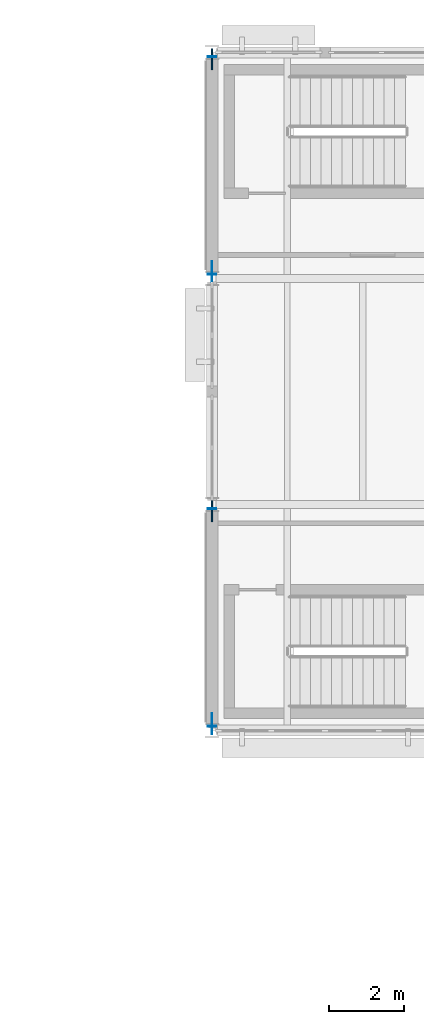
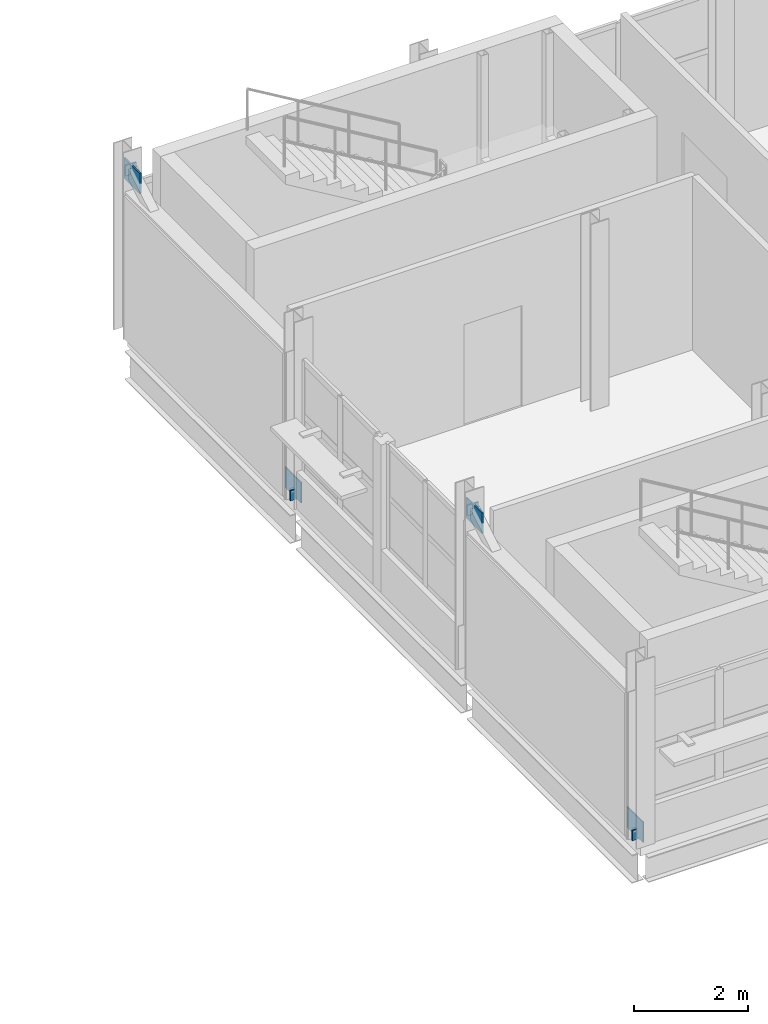
# One storey, part 59 of 92: 8 plates.
"""IFC4 building model written with IfcOpenShell, lengths in metres."""

from ifc_helpers import new_model, si_unit, direction, frame, origin, origin_2d, place, context, subcontext, project, spatial, rectangle, extrude, material, layer, layer_set, type_object, element, save


model = new_model("IFC4")

# Units and contexts
model_context = context("Model", 3, precision=1e-05, world=origin(), true_north=direction((0.0, 1.0)))
body_context = subcontext(model_context, "Body", "Model", "MODEL_VIEW")
ifc_project = project(units=[si_unit("LENGTHUNIT", "METRE"), si_unit("AREAUNIT", "SQUARE_METRE"), si_unit("VOLUMEUNIT", "CUBIC_METRE"), si_unit("PLANEANGLEUNIT", "RADIAN"), si_unit("MASSUNIT", "GRAM", prefix="KILO")], contexts=[model_context])

# Site, building, storey
site_placement = place(None, origin())
site = spatial("IfcSite", under=ifc_project, at=site_placement, CompositionType="ELEMENT")
building_placement = place(site_placement, origin())
building = spatial("IfcBuilding", under=site, at=building_placement, Name="Siltcreek Boulevard Central Fire Station", CompositionType="ELEMENT")
storey_placement = place(building_placement, frame((0.0, 0.0, 6.0)))
storey = spatial("IfcBuildingStorey", under=building, at=storey_placement, Name="L02", CompositionType="ELEMENT", Elevation=6.0)

# Plates
ifc_material = material(Name="Structural steel ASTM A572 Gr50", Category="steel")
ifc_layer_1 = layer(ifc_material, 0.02490234375, Name="Structural steel ASTM A572 Gr50")
ifc_layer_set_1 = layer_set([ifc_layer_1], Name="Structural steel ASTM A572 Gr50")
plate_type_1 = type_object("IfcPlateType", Name="PL_CAP25", PredefinedType="USERDEFINED", material=ifc_layer_set_1)
for number, where, z_axis, x_axis, name in (
    (1, (42.0, 94.31103515625, -0.015625), (0.0, 0.0, 1.0), (0.0, 1.0, 0.0), "L02 SCBF concentrically braced frame BR-014 sealed end cap 1"),
    (2, (42.0, 100.089111328125, 3.4453125), (0.0, 0.0, 1.0), (0.0, 1.0, 0.0), "L02 SCBF concentrically braced frame BR-014 sealed end cap 2"),
    (3, (42.0, 106.31103515625, -0.015625), (0.0, 0.0, 1.0), (0.0, 1.0, 0.0), "L02 SCBF concentrically braced frame BR-020 sealed end cap 1"),
    (4, (42.0, 112.089111328125, 3.4453125), (0.0, 0.0, 1.0), (0.0, 1.0, 0.0), "L02 SCBF concentrically braced frame BR-020 sealed end cap 2"),
):
    element("IfcPlate", number, at=place(storey_placement, frame(where, z_axis=z_axis, x_axis=x_axis)), inside=storey, type_object=plate_type_1, Name=name, ObjectType="END CAP", PredefinedType="USERDEFINED", context=body_context, shape_type="SweptSolid", body=[
        extrude(rectangle(XDim=0.02490234375, YDim=0.219970703125, at=origin_2d()), origin(), (0.0, 0.0, 1.0), 0.219970703125),
    ])
ifc_layer_2 = layer(ifc_material, 0.02197265625, Name="Structural steel ASTM A572 Gr50")
ifc_layer_set_2 = layer_set([ifc_layer_2], Name="Structural steel ASTM A572 Gr50")
plate_type_2 = type_object("IfcPlateType", Name="PL_GUS22", PredefinedType="USERDEFINED", material=ifc_layer_set_2)
for number, where, z_axis, x_axis, name in (
    (5, (42.0, 94.3798828125, 0.030029296875), (0.0, 0.0, 1.0), (0.0, 1.0, 0.0), "Seismic brace bot gusset plate GP-061"),
    (6, (42.0, 106.3798828125, 0.030029296875), (0.0, 0.0, 1.0), (0.0, 1.0, 0.0), "Seismic brace bot gusset plate GP-073"),
):
    element("IfcPlate", number, at=place(storey_placement, frame(where, z_axis=z_axis, x_axis=x_axis)), inside=storey, type_object=plate_type_2, Name=name, ObjectType="GUSSET PLATE", PredefinedType="USERDEFINED", context=body_context, shape_type="SweptSolid", body=[
        extrude(rectangle(XDim=0.56005859375, YDim=0.02197265625, at=origin_2d()), origin(), (0.0, 0.0, 1.0), 0.43994140625),
    ])
ifc_layer_3 = layer(ifc_material, 0.028076171875, Name="Structural steel ASTM A572 Gr50")
ifc_layer_set_3 = layer_set([ifc_layer_3], Name="Structural steel ASTM A572 Gr50")
plate_type_3 = type_object("IfcPlateType", Name="PL_GUS28", PredefinedType="USERDEFINED", material=ifc_layer_set_3)
for number, where, z_axis, x_axis, name in (
    (7, (42.0, 100.02001953125, 3.22998046875), (0.0, 0.0, 1.0), (0.0, 1.0, 0.0), "Seismic brace top gusset plate GP-062"),
    (8, (42.0, 112.02001953125, 3.22998046875), (0.0, 0.0, 1.0), (0.0, 1.0, 0.0), "Seismic brace top gusset plate GP-074"),
):
    element("IfcPlate", number, at=place(storey_placement, frame(where, z_axis=z_axis, x_axis=x_axis)), inside=storey, type_object=plate_type_3, Name=name, ObjectType="GUSSET PLATE", PredefinedType="USERDEFINED", context=body_context, shape_type="SweptSolid", body=[
        extrude(rectangle(XDim=0.56005859375, YDim=0.028076171875, at=origin_2d()), origin(), (0.0, 0.0, 1.0), 0.43994140625),
    ])

save(model, "model.ifc")
